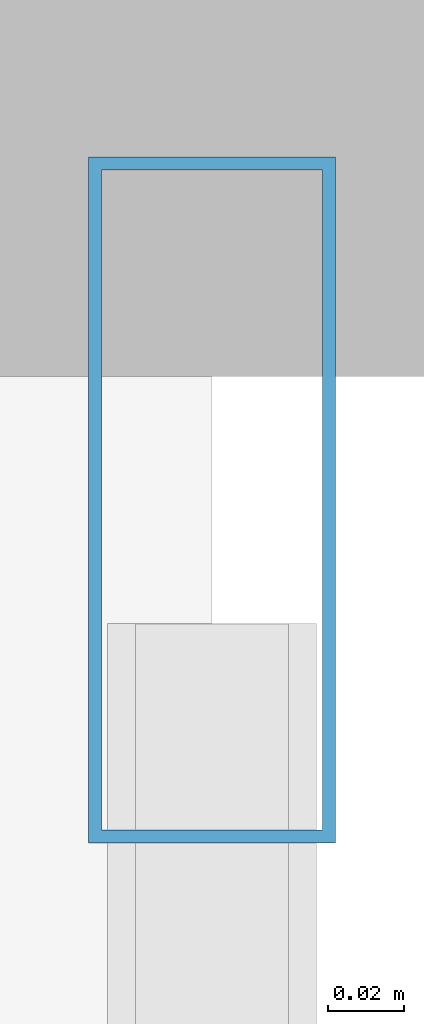
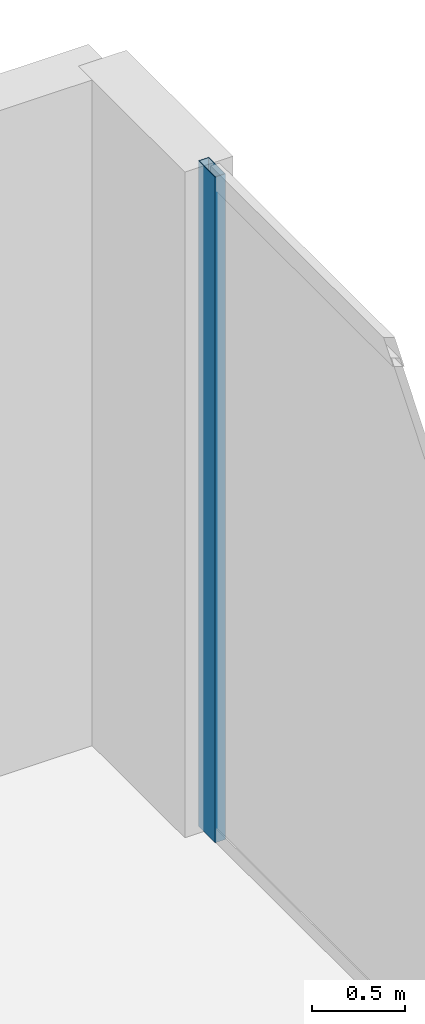
# One storey, part 21 of 31: 1 member, 1 element without a shape of its own.
"""IFC4 building model written with IfcOpenShell, lengths in metres."""

from ifc_helpers import new_model, si_unit, direction, frame, origin, origin_2d, place, context, subcontext, project, spatial, hollow_rectangle, extrude, material, layer, layer_set, material_profile, profile_set, type_object, element, aggregate, save


model = new_model("IFC4")

# Units and contexts
model_context = context("Model", 3, precision=1e-05, world=origin(), true_north=direction((0.0, 1.0)))
body_context = subcontext(model_context, "Body", "Model", "MODEL_VIEW")
ifc_project = project(units=[si_unit("LENGTHUNIT", "METRE"), si_unit("AREAUNIT", "SQUARE_METRE"), si_unit("VOLUMEUNIT", "CUBIC_METRE"), si_unit("PLANEANGLEUNIT", "RADIAN"), si_unit("MASSUNIT", "GRAM", prefix="KILO")], contexts=[model_context])

# Site, building, storey
site_placement = place(None, origin())
site = spatial("IfcSite", under=ifc_project, at=site_placement, CompositionType="ELEMENT")
building_placement = place(site_placement, origin())
building = spatial("IfcBuilding", under=site, at=building_placement, Name="Zuhayl Quay Hotel", CompositionType="ELEMENT")
storey_placement = place(building_placement, frame((0.0, 0.0, 172.800048828125)))
storey = spatial("IfcBuildingStorey", under=building, at=storey_placement, Name="L43", CompositionType="ELEMENT", Elevation=172.800048828125)

# Curtain wall, member
ifc_material_1 = material(Name="Anodised Aluminium 6063-T6", Category="aluminium")
ifc_layer = layer(ifc_material_1, 0.175048828125, Name="Anodised Aluminium 6063-T6", Category="aluminium")
ifc_layer_set = layer_set([ifc_layer], Name="Anodised Aluminium 6063-T6")
curtain_wall_type = type_object("IfcCurtainWallType", Name="CW_SYS_Z3", PredefinedType="USERDEFINED", material=ifc_layer_set)
curtain_wall_placement = place(storey_placement, origin())
curtain_wall = element("IfcCurtainWall", 1, at=curtain_wall_placement, inside=storey, type_object=curtain_wall_type, Name="L43 Curtain Wall ENV_L43_E11_CW1", ObjectType="UNITISED CURTAIN WALL", PredefinedType="USERDEFINED")
ifc_material_2 = material(Name="Black-anodised aluminium 6063-T6", Category="aluminium")
ifc_material_profile = material_profile(ifc_material_2, hollow_rectangle(XDim=0.06494140625, YDim=0.179931640625, WallThickness=0.00341796875, at=origin_2d()), Name="ALU180X65")
ifc_profile_set = profile_set([ifc_material_profile], Name="Black-anodised aluminium 6063-T6")
member_type = type_object("IfcMemberType", Name="MB_CW_MUL_180", PredefinedType="MULLION", material=ifc_profile_set)
member_placement = place(storey_placement, frame((22.10009765625, 29.017578125, 0.0), z_axis=(0.0, 0.0, 1.0), x_axis=(1.0, 0.0, 0.0)))
member = element("IfcMember", 2, at=member_placement, type_object=member_type, Name="CW-Z3 mullion 1", PredefinedType="MULLION", context=body_context, shape_type="SweptSolid", body=[
    extrude(hollow_rectangle(XDim=0.06494140625, YDim=0.179931640625, WallThickness=0.00341796875, at=origin_2d()), origin(), (0.0, 0.0, 1.0), 4.3798828125),
])
aggregate(curtain_wall, [member])

save(model, "model.ifc")
